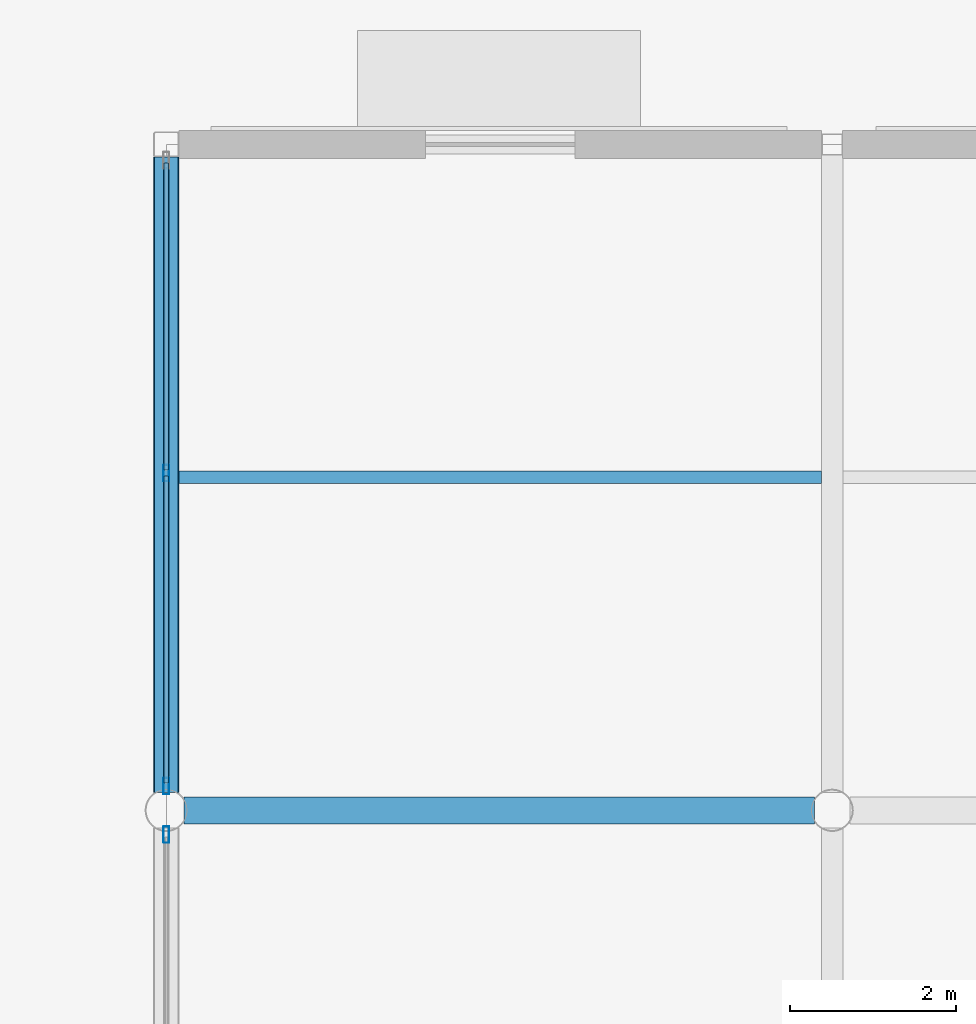
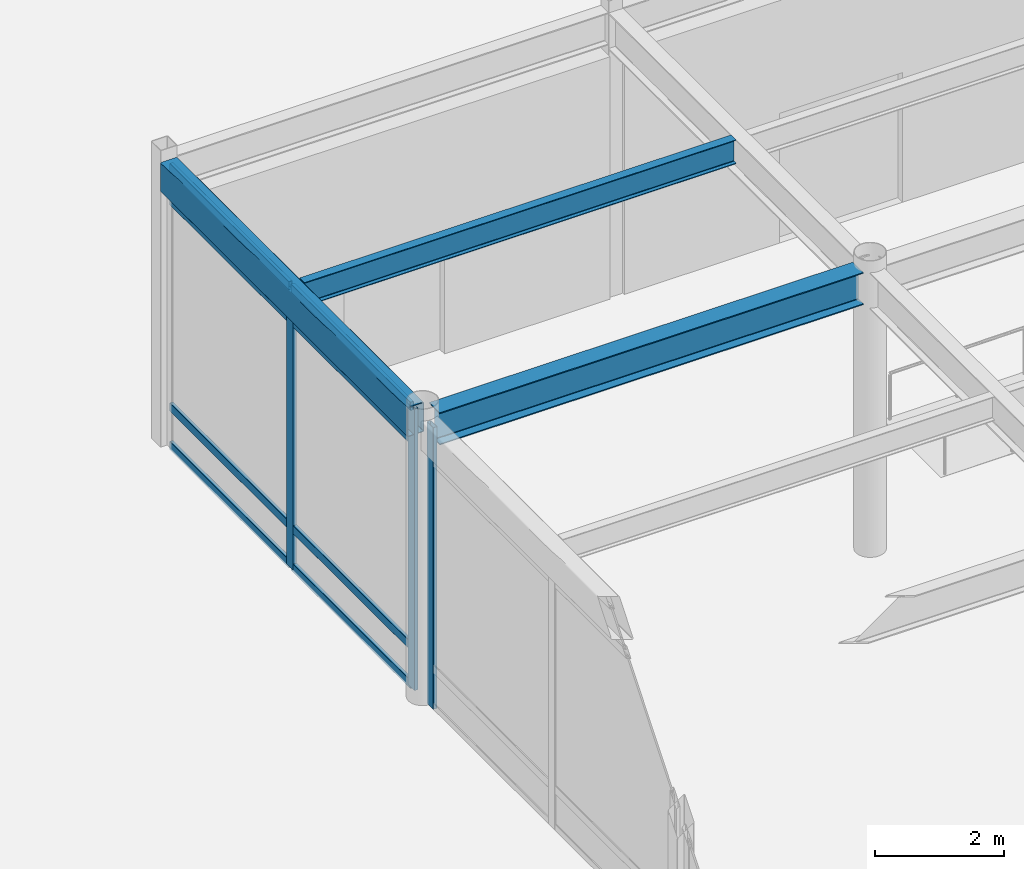
# One storey, part 39 of 128: 11 members, 3 beams, 2 elements without a shape of their own.
"""IFC4 building model written with IfcOpenShell, lengths in metres."""

import ifcopenshell
import ifcopenshell.guid

model = None  # the IFC model being written
_history = None  # IfcOwnerHistory: only IFC2X3 demands one
_inside = {}  # id of a spatial element -> (the spatial element, [elements in it])
_under = {}  # id of a project, library or spatial element -> (it, [spatial elements below it])
_declared = {}  # id of a project -> (the project, [libraries it declares])
_typed = {}  # id of a type object -> (the type object, [elements of that type])
_made_of = {}  # id of a material, layer set ... -> (it, [elements and type objects made of it])


def new_model(schema):
    """Start an empty IFC model of exactly this schema.

    Asked for "IFC4X3", IfcOpenShell would pick the latest addendum, in which some entities
    have other attributes; the version numbers below select the first issue.
    IFC2X3 requires an IfcOwnerHistory on every rooted entity: one is made here for all.
    """
    global model, _history
    if schema == "IFC4X3":
        model = ifcopenshell.file(schema_version=(4, 3, 0, 0))
    else:
        model = ifcopenshell.file(schema=schema)
    _inside.clear()
    _under.clear()
    _declared.clear()
    _typed.clear()
    _made_of.clear()
    _history = None
    if model.schema == "IFC2X3":
        org = make("IfcOrganization", Name="unknown")
        user = make(
            "IfcPersonAndOrganization",
            ThePerson=make("IfcPerson", FamilyName="unknown"),
            TheOrganization=org,
        )
        app = make(
            "IfcApplication",
            ApplicationDeveloper=org,
            Version="unknown",
            ApplicationFullName="unknown",
            ApplicationIdentifier="unknown",
        )
        _history = make(
            "IfcOwnerHistory",
            OwningUser=user,
            OwningApplication=app,
            ChangeAction="ADDED",
            CreationDate=0,
        )
    return model


def make(cls, **values):
    """One entity of the class cls with the attributes given. An attribute that is None is left unset."""
    return model.create_entity(
        cls, **{name: value for name, value in values.items() if value is not None}
    )


def rooted(cls, **values):
    """An entity with a GlobalId (a new one), such as an element, a storey or a relation."""
    return make(cls, GlobalId=ifcopenshell.guid.new(), OwnerHistory=_history, **values)


def si_unit(unit_type, name, prefix=None):
    """IfcSIUnit, for example si_unit("LENGTHUNIT", "METRE", prefix="MILLI")."""
    return make("IfcSIUnit", UnitType=unit_type, Prefix=prefix, Name=name)


def assignment(units):
    """IfcUnitAssignment: the units of a project."""
    return None if units is None else make("IfcUnitAssignment", Units=units)


def point(xyz):
    """IfcCartesianPoint."""
    return None if xyz is None else make("IfcCartesianPoint", Coordinates=xyz)


def direction(xyz):
    """IfcDirection."""
    return None if xyz is None else make("IfcDirection", DirectionRatios=xyz)


def frame(location, z_axis=None, x_axis=None):
    """IfcAxis2Placement3D, a coordinate frame: its origin and axes. An axis left out is left unset."""
    return make(
        "IfcAxis2Placement3D",
        Location=point(location),
        Axis=direction(z_axis),
        RefDirection=direction(x_axis),
    )


def frame_2d(location, x_axis=None):
    """IfcAxis2Placement2D, a coordinate frame in the plane: its origin and x axis."""
    return make(
        "IfcAxis2Placement2D", Location=point(location), RefDirection=direction(x_axis)
    )


def origin():
    """The frame at (0, 0, 0) with its axes left unset."""
    return frame((0.0, 0.0, 0.0))


def origin_2d():
    """The frame at (0, 0) in the plane with its x axis left unset."""
    return frame_2d((0.0, 0.0))


def place(relative_to, where):
    """IfcLocalPlacement: puts the frame where relative to a parent placement (None: the world)."""
    return make(
        "IfcLocalPlacement", PlacementRelTo=relative_to, RelativePlacement=where
    )


def context(
    kind, dimensions, precision=None, world=None, true_north=None, identifier=None
):
    """IfcGeometricRepresentationContext, for example the 3D "Model" context."""
    return make(
        "IfcGeometricRepresentationContext",
        ContextIdentifier=identifier,
        ContextType=kind,
        CoordinateSpaceDimension=dimensions,
        Precision=precision,
        WorldCoordinateSystem=world,
        TrueNorth=true_north,
    )


def subcontext(parent, identifier, kind, view, scale=None):
    """IfcGeometricRepresentationSubContext, for example "Body" below "Model"."""
    return make(
        "IfcGeometricRepresentationSubContext",
        ContextIdentifier=identifier,
        ContextType=kind,
        ParentContext=parent,
        TargetScale=scale,
        TargetView=view,
    )


def project(units=None, contexts=None):
    """IfcProject with its units and contexts."""
    return rooted(
        "IfcProject",
        Name="project",
        RepresentationContexts=contexts,
        UnitsInContext=assignment(units),
    )


def spatial(cls, under=None, at=None, **own):
    """A site, building, storey or space (cls), placed at a placement, below another one or the project."""
    s = rooted(cls, ObjectPlacement=at, **own)
    if under is not None:
        _under.setdefault(under.id(), (under, []))[1].append(s)
    return s


def profile(cls, at=None, kind="AREA", **sizes):
    """A parametric profile (cls). Its sizes go by their IFC names, for example OverallWidth=200.0."""
    return make(cls, ProfileType=kind, Position=at, **sizes)


def hollow_rectangle(**sizes):
    """IfcRectangleHollowProfileDef."""
    return profile("IfcRectangleHollowProfileDef", **sizes)


def i_section(**sizes):
    """IfcIShapeProfileDef."""
    return profile("IfcIShapeProfileDef", **sizes)


def extrude(swept, where, along, depth):
    """IfcExtrudedAreaSolid: the profile swept, set in the frame where, extruded along a direction by depth."""
    return make(
        "IfcExtrudedAreaSolid",
        SweptArea=swept,
        Position=where,
        ExtrudedDirection=direction(along),
        Depth=depth,
    )


def shape(context_of_items, identifier, shape_type, items):
    """IfcShapeRepresentation: the items that make up one representation, for example the "Body"."""
    return make(
        "IfcShapeRepresentation",
        ContextOfItems=context_of_items,
        RepresentationIdentifier=identifier,
        RepresentationType=shape_type,
        Items=items,
    )


def material(Name=None, Category=None):
    """IfcMaterial."""
    return make("IfcMaterial", Name=Name, Category=Category)


def material_profile(
    of_material, cross_section, Name=None, Category=None, Priority=None
):
    """IfcMaterialProfile: a cross section and its material."""
    return make(
        "IfcMaterialProfile",
        Name=Name,
        Material=of_material,
        Profile=cross_section,
        Priority=Priority,
        Category=Category,
    )


def profile_set(profiles, Name=None, composite=None):
    """IfcMaterialProfileSet."""
    return make(
        "IfcMaterialProfileSet",
        Name=Name,
        MaterialProfiles=profiles,
        CompositeProfile=composite,
    )


def made_of(thing, what):
    """Note that an element or type object is made of a material, layer set ...; save() writes the relation."""
    if what is not None:
        _made_of.setdefault(what.id(), (what, []))[1].append(thing)
    return thing


def type_object(cls, material=None, **own):
    """A type object (cls), such as IfcWallType, which elements share."""
    return made_of(rooted(cls, **own), material)


def element(
    cls,
    number,
    at=None,
    inside=None,
    cuts=None,
    type_object=None,
    material=None,
    context=None,
    identifier="Body",
    shape_type=None,
    held_by="IfcProductDefinitionShape",
    body=None,
    shapes=None,
    **own,
):
    """One element of the class cls, such as IfcWall. Its Tag is "e" and its number.

    at: its placement. inside: the storey or other place that contains it. cuts: it is an
    opening in that element (IfcRelVoidsElement). A single representation is given by context,
    identifier, shape_type and body (its items); several are given by shapes. held_by: the class
    of the entity that holds the representations. save() writes the other relations.
    """
    e = rooted(cls, Tag="e%d" % number, ObjectPlacement=at, **own)
    if body is not None:
        shapes = [shape(context, identifier, shape_type, body)]
    if shapes is not None:
        e.Representation = make(held_by, Representations=shapes)
    if inside is not None:
        _inside.setdefault(inside.id(), (inside, []))[1].append(e)
    if cuts is not None:
        rooted(
            "IfcRelVoidsElement", RelatingBuildingElement=cuts, RelatedOpeningElement=e
        )
    if type_object is not None:
        _typed.setdefault(type_object.id(), (type_object, []))[1].append(e)
    return made_of(e, material)


def aggregate(whole, parts):
    """IfcRelAggregates: a whole, such as a stair, and the parts it consists of."""
    return rooted("IfcRelAggregates", RelatingObject=whole, RelatedObjects=parts)


def save(model, path):
    """Write the relations noted so far, then the file.

    IfcRelAggregates (storeys below a building ...), IfcRelContainedInSpatialStructure (elements
    in a storey), IfcRelDefinesByType, IfcRelAssociatesMaterial and IfcRelDeclares: one each for
    every whole, place, type object, material and project.
    """
    for whole, parts in _under.values():
        aggregate(whole, parts)
    for where, things in _inside.values():
        rooted(
            "IfcRelContainedInSpatialStructure",
            RelatedElements=things,
            RelatingStructure=where,
        )
    for kind, things in _typed.values():
        rooted("IfcRelDefinesByType", RelatedObjects=things, RelatingType=kind)
    for what, things in _made_of.values():
        rooted("IfcRelAssociatesMaterial", RelatedObjects=things, RelatingMaterial=what)
    for by, libraries in _declared.values():
        rooted("IfcRelDeclares", RelatingContext=by, RelatedDefinitions=libraries)
    model.write(path)


model = new_model("IFC4")

# Units and contexts
model_context = context("Model", 3, precision=1e-05, world=origin(), true_north=direction((0.0, 1.0)))
body_context = subcontext(model_context, "Body", "Model", "MODEL_VIEW")
ifc_project = project(units=[si_unit("LENGTHUNIT", "METRE"), si_unit("AREAUNIT", "SQUARE_METRE"), si_unit("VOLUMEUNIT", "CUBIC_METRE"), si_unit("PLANEANGLEUNIT", "RADIAN"), si_unit("MASSUNIT", "GRAM", prefix="KILO")], contexts=[model_context])

# Site, building, storey
site_placement = place(None, origin())
site = spatial("IfcSite", under=ifc_project, at=site_placement, CompositionType="ELEMENT")
building_placement = place(site_placement, origin())
building = spatial("IfcBuilding", under=site, at=building_placement, Name="Solmirada Galleria", CompositionType="ELEMENT")
storey_placement = place(building_placement, origin())
storey = spatial("IfcBuildingStorey", under=building, at=storey_placement, Name="L00", CompositionType="ELEMENT", Elevation=0.0)

# Beams
ifc_material_1 = material(Name="Steel S355 / ASTM A992 Grade 50", Category="steel")
ifc_material_profile_1 = material_profile(ifc_material_1, i_section(OverallWidth=0.323974609375, OverallDepth=0.611083984375, WebThickness=0.0126953125, FlangeThickness=0.01904296875, FilletRadius=0.014892578125, at=origin_2d()), Name="W24X104")
ifc_profile_set_1 = profile_set([ifc_material_profile_1], Name="Steel S355 / ASTM A992 Grade 50")
beam_type_1 = type_object("IfcBeamType", Name="BM-GIRD-W24A", PredefinedType="BEAM", material=ifc_profile_set_1)
beam_1_placement = place(storey_placement, frame((40.21337890625, 32.0, 5.074462890625), z_axis=(1.0, 0.0, 0.0), x_axis=(0.0, 1.0, 0.0)))
element("IfcBeam", 1, at=beam_1_placement, inside=storey, type_object=beam_type_1, Name="Primary beam L01 X(40..48, 32)", PredefinedType="BEAM", context=body_context, shape_type="SweptSolid", body=[
    extrude(i_section(OverallWidth=0.323974609375, OverallDepth=0.611083984375, WebThickness=0.0126953125, FlangeThickness=0.01904296875, FilletRadius=0.014892578125, at=origin_2d()), origin(), (0.0, 0.0, 1.0), 7.5732421875),
])
ifc_material_profile_2 = material_profile(ifc_material_1, i_section(OverallWidth=0.153076171875, OverallDepth=0.455078125, WebThickness=0.008056640625, FlangeThickness=0.01318359375, FilletRadius=0.011962890625, at=origin_2d()), Name="W18X40")
ifc_profile_set_2 = profile_set([ifc_material_profile_2], Name="Steel S355 / ASTM A992 Grade 50")
beam_type_2 = type_object("IfcBeamType", Name="BM-JST-W18A", PredefinedType="JOIST", material=ifc_profile_set_2)
beam_2_placement = place(storey_placement, frame((40.152587890625, 36.0, 5.152587890625), z_axis=(1.0, 0.0, 0.0), x_axis=(0.0, 1.0, 0.0)))
element("IfcBeam", 2, at=beam_2_placement, inside=storey, type_object=beam_type_2, Name="Composite floor joist L01 (40..48, 36.0)", PredefinedType="JOIST", context=body_context, shape_type="SweptSolid", body=[
    extrude(i_section(OverallWidth=0.153076171875, OverallDepth=0.455078125, WebThickness=0.008056640625, FlangeThickness=0.01318359375, FilletRadius=0.011962890625, at=origin_2d()), origin(), (0.0, 0.0, 1.0), 7.719482421875),
])
ifc_material_2 = material(Name="Steel S355 / ASTM A500 Grade C", Category="steel")
ifc_material_profile_3 = material_profile(ifc_material_2, hollow_rectangle(XDim=0.304931640625, YDim=0.55908203125, WallThickness=0.01171875, InnerFilletRadius=0.01171875, OuterFilletRadius=0.023681640625, at=origin_2d()), Name="HSS22X12X1/2")
ifc_profile_set_3 = profile_set([ifc_material_profile_3], Name="Steel S355 / ASTM A500 Grade C")
beam_type_3 = type_object("IfcBeamType", Name="BM-SPAND-W21", PredefinedType="SPANDREL", material=ifc_profile_set_3)
beam_3_placement = place(storey_placement, frame((40.0, 32.21337890625, 5.1005859375), z_axis=(0.0, 1.0, 0.0), x_axis=(-1.0, 0.0, 0.0)))
element("IfcBeam", 3, at=beam_3_placement, inside=storey, type_object=beam_type_3, Name="Primary girder L01 Y(40, 32..40)", PredefinedType="SPANDREL", context=body_context, shape_type="SweptSolid", body=[
    extrude(hollow_rectangle(XDim=0.304931640625, YDim=0.55908203125, WallThickness=0.01171875, InnerFilletRadius=0.01171875, OuterFilletRadius=0.023681640625, at=origin_2d()), origin(), (0.0, 0.0, 1.0), 7.634033203125),
])

# Curtain wall, member
ifc_material_3 = material(Name="Impact-resistant low-E double glazing", Category="glass")
curtain_wall_type = type_object("IfcCurtainWallType", Name="CW-FZ1-L00-B2-L076", PredefinedType="NOTDEFINED", material=ifc_material_3)
curtain_wall_1_placement = place(storey_placement, origin())
curtain_wall_1 = element("IfcCurtainWall", 4, at=curtain_wall_1_placement, inside=storey, type_object=curtain_wall_type, Name="Terrace and arcade storefront CW-L00-029", PredefinedType="NOTDEFINED")
ifc_material_4 = material(Name="Anodised aluminium framing", Category="aluminium")
ifc_material_profile_4 = material_profile(ifc_material_4, hollow_rectangle(XDim=0.070068359375, YDim=0.199951171875, WallThickness=0.004150390625, InnerFilletRadius=0.004150390625, OuterFilletRadius=0.00830078125, at=origin_2d()), Name="ALU-MULL-200X70")
ifc_profile_set_4 = profile_set([ifc_material_profile_4], Name="Anodised aluminium framing")
member_type_1 = type_object("IfcMemberType", Name="CW-MULL-200", PredefinedType="MULLION", material=ifc_profile_set_4)
member_1_placement = place(storey_placement, frame((40.0, 31.708984375, 0.0), z_axis=(0.0, 0.0, 1.0), x_axis=(-1.0, 0.0, 0.0)))
member_1 = element("IfcMember", 5, at=member_1_placement, type_object=member_type_1, Name="CW10 mullion 3", PredefinedType="MULLION", context=body_context, shape_type="SweptSolid", body=[
    extrude(hollow_rectangle(XDim=0.070068359375, YDim=0.199951171875, WallThickness=0.004150390625, InnerFilletRadius=0.004150390625, OuterFilletRadius=0.00830078125, at=origin_2d()), origin(), (0.0, 0.0, 1.0), 5.320068359375),
])
aggregate(curtain_wall_1, [member_1])

# Curtain wall, members
curtain_wall_2_placement = place(storey_placement, origin())
curtain_wall_2 = element("IfcCurtainWall", 6, at=curtain_wall_2_placement, inside=storey, type_object=curtain_wall_type, Name="Terrace and arcade storefront CW-L00-030", PredefinedType="NOTDEFINED")
member_2_placement = place(storey_placement, frame((40.0, 32.291015625, 0.0), z_axis=(0.0, 0.0, 1.0), x_axis=(-1.0, 0.0, 0.0)))
member_2 = element("IfcMember", 7, at=member_2_placement, type_object=member_type_1, Name="CW10 mullion 1", PredefinedType="MULLION", context=body_context, shape_type="SweptSolid", body=[
    extrude(hollow_rectangle(XDim=0.070068359375, YDim=0.199951171875, WallThickness=0.004150390625, InnerFilletRadius=0.004150390625, OuterFilletRadius=0.00830078125, at=origin_2d()), origin(), (0.0, 0.0, 1.0), 5.320068359375),
])
member_3_placement = place(storey_placement, frame((40.0, 36.05078125, 0.0), z_axis=(0.0, 0.0, 1.0), x_axis=(-1.0, 0.0, 0.0)))
member_3 = element("IfcMember", 8, at=member_3_placement, type_object=member_type_1, Name="CW10 mullion 2", PredefinedType="MULLION", context=body_context, shape_type="SweptSolid", body=[
    extrude(hollow_rectangle(XDim=0.070068359375, YDim=0.199951171875, WallThickness=0.004150390625, InnerFilletRadius=0.004150390625, OuterFilletRadius=0.00830078125, at=origin_2d()), origin(), (0.0, 0.0, 1.0), 5.320068359375),
])
ifc_material_profile_5 = material_profile(ifc_material_4, hollow_rectangle(XDim=0.06494140625, YDim=0.159912109375, WallThickness=0.00390625, InnerFilletRadius=0.00390625, OuterFilletRadius=0.007568359375, at=origin_2d()), Name="ALU-TRAN-160X65")
ifc_profile_set_5 = profile_set([ifc_material_profile_5], Name="Anodised aluminium framing")
member_type_2 = type_object("IfcMemberType", Name="CW-TRAN-160", PredefinedType="USERDEFINED", material=ifc_profile_set_5)
member_4_placement = place(storey_placement, frame((40.0, 32.325927734375, 0.032470703125), z_axis=(0.0, 1.0, 0.0), x_axis=(-1.0, 0.0, 0.0)))
member_4 = element("IfcMember", 9, at=member_4_placement, type_object=member_type_2, Name="CW10 transom 1.1", ObjectType="TRANSOM", PredefinedType="USERDEFINED", context=body_context, shape_type="SweptSolid", body=[
    extrude(hollow_rectangle(XDim=0.06494140625, YDim=0.159912109375, WallThickness=0.00390625, InnerFilletRadius=0.00390625, OuterFilletRadius=0.007568359375, at=origin_2d()), origin(), (0.0, 0.0, 1.0), 3.68994140625),
])
member_5_placement = place(storey_placement, frame((40.0, 32.325927734375, 0.760009765625), z_axis=(0.0, 1.0, 0.0), x_axis=(-1.0, 0.0, 0.0)))
member_5 = element("IfcMember", 10, at=member_5_placement, type_object=member_type_2, Name="CW10 transom 1.2", ObjectType="TRANSOM", PredefinedType="USERDEFINED", context=body_context, shape_type="SweptSolid", body=[
    extrude(hollow_rectangle(XDim=0.06494140625, YDim=0.159912109375, WallThickness=0.00390625, InnerFilletRadius=0.00390625, OuterFilletRadius=0.007568359375, at=origin_2d()), origin(), (0.0, 0.0, 1.0), 3.68994140625),
])
member_6_placement = place(storey_placement, frame((40.0, 32.325927734375, 4.659912109375), z_axis=(0.0, 1.0, 0.0), x_axis=(-1.0, 0.0, 0.0)))
member_6 = element("IfcMember", 11, at=member_6_placement, type_object=member_type_2, Name="CW10 transom 1.3", ObjectType="TRANSOM", PredefinedType="USERDEFINED", context=body_context, shape_type="SweptSolid", body=[
    extrude(hollow_rectangle(XDim=0.06494140625, YDim=0.159912109375, WallThickness=0.00390625, InnerFilletRadius=0.00390625, OuterFilletRadius=0.007568359375, at=origin_2d()), origin(), (0.0, 0.0, 1.0), 3.68994140625),
])
member_7_placement = place(storey_placement, frame((40.0, 32.325927734375, 5.28759765625), z_axis=(0.0, 1.0, 0.0), x_axis=(-1.0, 0.0, 0.0)))
member_7 = element("IfcMember", 12, at=member_7_placement, type_object=member_type_2, Name="CW10 transom 1.4", ObjectType="TRANSOM", PredefinedType="USERDEFINED", context=body_context, shape_type="SweptSolid", body=[
    extrude(hollow_rectangle(XDim=0.06494140625, YDim=0.159912109375, WallThickness=0.00390625, InnerFilletRadius=0.00390625, OuterFilletRadius=0.007568359375, at=origin_2d()), origin(), (0.0, 0.0, 1.0), 3.68994140625),
])
member_8_placement = place(storey_placement, frame((40.0, 36.085693359375, 0.032470703125), z_axis=(0.0, 1.0, 0.0), x_axis=(-1.0, 0.0, 0.0)))
member_8 = element("IfcMember", 13, at=member_8_placement, type_object=member_type_2, Name="CW10 transom 2.1", ObjectType="TRANSOM", PredefinedType="USERDEFINED", context=body_context, shape_type="SweptSolid", body=[
    extrude(hollow_rectangle(XDim=0.06494140625, YDim=0.159912109375, WallThickness=0.00390625, InnerFilletRadius=0.00390625, OuterFilletRadius=0.007568359375, at=origin_2d()), origin(), (0.0, 0.0, 1.0), 3.689697265625),
])
member_9_placement = place(storey_placement, frame((40.0, 36.085693359375, 0.760009765625), z_axis=(0.0, 1.0, 0.0), x_axis=(-1.0, 0.0, 0.0)))
member_9 = element("IfcMember", 14, at=member_9_placement, type_object=member_type_2, Name="CW10 transom 2.2", ObjectType="TRANSOM", PredefinedType="USERDEFINED", context=body_context, shape_type="SweptSolid", body=[
    extrude(hollow_rectangle(XDim=0.06494140625, YDim=0.159912109375, WallThickness=0.00390625, InnerFilletRadius=0.00390625, OuterFilletRadius=0.007568359375, at=origin_2d()), origin(), (0.0, 0.0, 1.0), 3.689697265625),
])
member_10_placement = place(storey_placement, frame((40.0, 36.085693359375, 4.659912109375), z_axis=(0.0, 1.0, 0.0), x_axis=(-1.0, 0.0, 0.0)))
member_10 = element("IfcMember", 15, at=member_10_placement, type_object=member_type_2, Name="CW10 transom 2.3", ObjectType="TRANSOM", PredefinedType="USERDEFINED", context=body_context, shape_type="SweptSolid", body=[
    extrude(hollow_rectangle(XDim=0.06494140625, YDim=0.159912109375, WallThickness=0.00390625, InnerFilletRadius=0.00390625, OuterFilletRadius=0.007568359375, at=origin_2d()), origin(), (0.0, 0.0, 1.0), 3.689697265625),
])
member_11_placement = place(storey_placement, frame((40.0, 36.085693359375, 5.28759765625), z_axis=(0.0, 1.0, 0.0), x_axis=(-1.0, 0.0, 0.0)))
member_11 = element("IfcMember", 16, at=member_11_placement, type_object=member_type_2, Name="CW10 transom 2.4", ObjectType="TRANSOM", PredefinedType="USERDEFINED", context=body_context, shape_type="SweptSolid", body=[
    extrude(hollow_rectangle(XDim=0.06494140625, YDim=0.159912109375, WallThickness=0.00390625, InnerFilletRadius=0.00390625, OuterFilletRadius=0.007568359375, at=origin_2d()), origin(), (0.0, 0.0, 1.0), 3.689697265625),
])
aggregate(curtain_wall_2, [member_2, member_3, member_4, member_5, member_6, member_7, member_8, member_9, member_10, member_11])

save(model, "model.ifc")
